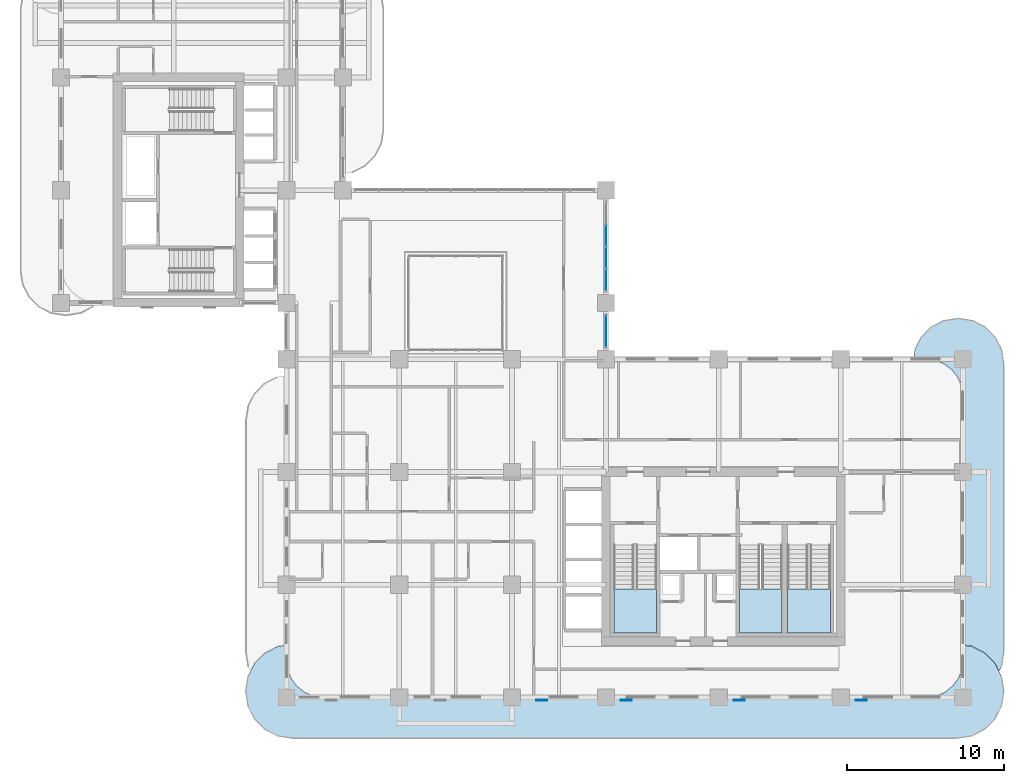
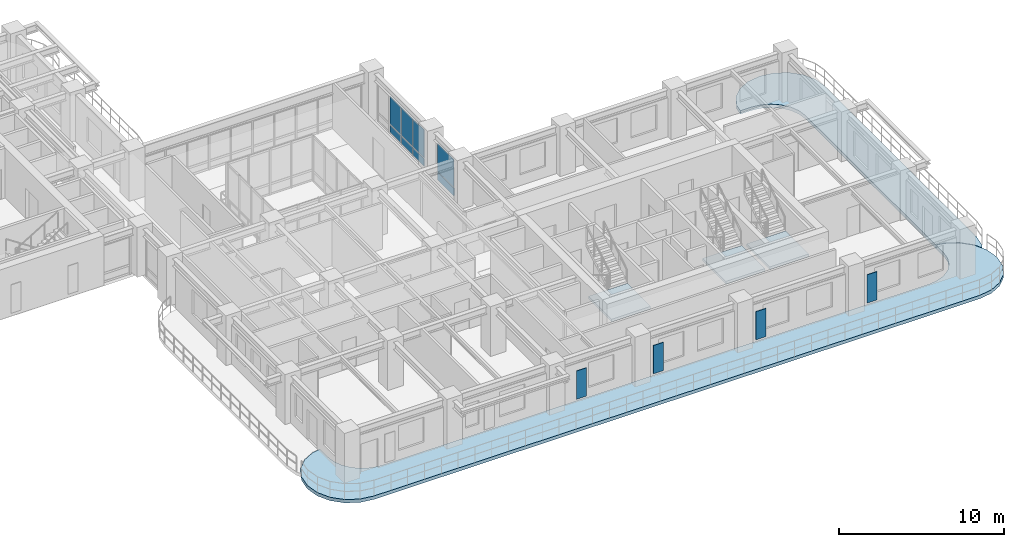
# One storey, part 10 of 22: 12 plates, 5 slabs, 5 elements without a shape of their own.
"""IFC4 building model written with IfcOpenShell, lengths in metres."""

from ifc_helpers import new_model, si_unit, derived_unit, direction, frame, origin, origin_2d, place, context, subcontext, project, spatial, polyline, rectangle, outline, extrude, source, transform, mapped, material, layer, layer_set, type_object, type_shapes, element, aggregate, save


model = new_model("IFC4")

# Units and contexts
model_context = context("Model", 3, precision=1e-05, world=origin(), true_north=direction((0.0, 1.0)))
body_context = subcontext(model_context, "Body", "Model", "MODEL_VIEW")
ifc_project = project(units=[si_unit("LENGTHUNIT", "METRE"), si_unit("AREAUNIT", "SQUARE_METRE"), si_unit("VOLUMEUNIT", "CUBIC_METRE"), si_unit("PLANEANGLEUNIT", "RADIAN"), si_unit("MASSUNIT", "GRAM", prefix="KILO"), si_unit("THERMODYNAMICTEMPERATUREUNIT", "KELVIN"), si_unit("POWERUNIT", "WATT"), derived_unit("THERMALTRANSMITTANCEUNIT", [(si_unit("POWERUNIT", "WATT"), 1), (si_unit("AREAUNIT", "SQUARE_METRE"), -1), (si_unit("THERMODYNAMICTEMPERATUREUNIT", "KELVIN"), -1)])], contexts=[model_context])

# Site, building, storey
site_placement = place(None, origin())
site = spatial("IfcSite", under=ifc_project, at=site_placement, CompositionType="ELEMENT")
building_placement = place(site_placement, origin())
building = spatial("IfcBuilding", under=site, at=building_placement, Name="Zahravan Archway Hotel and Residences", CompositionType="ELEMENT")
storey_placement = place(building_placement, frame((0.0, 0.0, 84.199951171875)))
storey = spatial("IfcBuildingStorey", under=building, at=storey_placement, Name="L20", CompositionType="ELEMENT", Elevation=84.199951171875)

# Slabs
ifc_material_1 = material(Name="Concrete C45/55", Category="concrete")
ifc_layer_1 = layer(ifc_material_1, 0.25, Name="Concrete C45/55", Category="concrete")
ifc_layer_set_1 = layer_set([ifc_layer_1], Name="Concrete C45/55")
slab_type_1 = type_object("IfcSlabType", Name="SLB-BALC-250", PredefinedType="FLOOR", material=ifc_layer_set_1)
slab_1_placement = place(storey_placement, frame((0.0, 0.0, -0.25)))
element("IfcSlab", 1, at=slab_1_placement, inside=storey, type_object=slab_type_1, Name="L20 Wing A South Rounded Balcony Band", PredefinedType="FLOOR", context=body_context, shape_type="SweptSolid", body=[
    extrude(outline(polyline([(58.16162109375, 3.255615234375), (58.98388671875, 2.836669921875), (59.63671875, 2.18408203125), (60.0556640625, 1.361572265625), (60.199951171875, 0.449951171875), (60.199951171875, 0.35009765625), (60.0556640625, -0.5615234375), (59.63671875, -1.384033203125), (58.98388671875, -2.03662109375), (58.16162109375, -2.45556640625), (57.25, -2.60009765625), (14.75, -2.60009765625), (13.83837890625, -2.45556640625), (13.01611328125, -2.03662109375), (12.36328125, -1.384033203125), (11.9443359375, -0.5615234375), (11.800048828125, 0.35009765625), (11.800048828125, 0.449951171875), (11.9443359375, 1.361572265625), (12.36328125, 2.18408203125), (13.01611328125, 2.836669921875), (13.83837890625, 3.255615234375), (14.3798828125, 3.34130859375), (14.3798828125, 2.39990234375), (14.380126953125, 2.3974609375), (14.4619140625, 1.776123046875), (14.46240234375, 1.7744140625), (14.462646484375, 1.772705078125), (14.46337890625, 1.77099609375), (14.702880859375, 1.1923828125), (14.703857421875, 1.19091796875), (14.70458984375, 1.189208984375), (14.70556640625, 1.187744140625), (15.0869140625, 0.690673828125), (15.088134765625, 0.689453125), (15.08935546875, 0.688232421875), (15.0908203125, 0.68701171875), (15.587890625, 0.3056640625), (15.58935546875, 0.3046875), (15.5908203125, 0.3037109375), (15.59228515625, 0.302978515625), (16.171142578125, 0.063232421875), (16.1728515625, 0.062744140625), (16.174560546875, 0.062255859375), (16.17626953125, 0.06201171875), (16.79736328125, -0.019775390625), (16.800048828125, -0.02001953125), (55.199951171875, -0.02001953125), (55.20263671875, -0.019775390625), (55.82373046875, 0.06201171875), (55.825439453125, 0.062255859375), (55.8271484375, 0.062744140625), (55.828857421875, 0.063232421875), (56.40771484375, 0.302978515625), (56.4091796875, 0.3037109375), (56.41064453125, 0.3046875), (56.412109375, 0.3056640625), (56.9091796875, 0.68701171875), (56.91064453125, 0.688232421875), (56.911865234375, 0.689453125), (56.9130859375, 0.690673828125), (57.29443359375, 1.187744140625), (57.29541015625, 1.189208984375), (57.296142578125, 1.19091796875), (57.297119140625, 1.1923828125), (57.53662109375, 1.77099609375), (57.537353515625, 1.772705078125), (57.53759765625, 1.7744140625), (57.5380859375, 1.776123046875), (57.619873046875, 2.3974609375), (57.6201171875, 2.39990234375), (57.6201171875, 3.34130859375), (58.16162109375, 3.255615234375)])), origin(), (0.0, 0.0, 1.0), 0.25),
])
slab_2_placement = place(storey_placement, frame((0.0, 0.0, -0.25)))
element("IfcSlab", 2, at=slab_2_placement, inside=storey, type_object=slab_type_1, Name="L20 Wing A East Rounded Balcony Band", PredefinedType="FLOOR", context=body_context, shape_type="SweptSolid", body=[
    extrude(outline(polyline([(54.53955078125, 22.230712890625), (54.9443359375, 23.025146484375), (55.57470703125, 23.65576171875), (56.369384765625, 24.060546875), (57.25, 24.199951171875), (57.35009765625, 24.199951171875), (58.230712890625, 24.060546875), (59.025146484375, 23.65576171875), (59.65576171875, 23.025146484375), (60.060546875, 22.230712890625), (60.199951171875, 21.35009765625), (60.199951171875, 2.85009765625), (60.060546875, 1.96923828125), (59.91455078125, 1.6826171875), (59.654296875, 2.193115234375), (59.6533203125, 2.19482421875), (59.652099609375, 2.196533203125), (59.650634765625, 2.197998046875), (58.998046875, 2.8505859375), (58.99658203125, 2.85205078125), (58.994873046875, 2.853515625), (58.9931640625, 2.8544921875), (58.170654296875, 3.2734375), (58.168701171875, 3.2744140625), (58.166748046875, 3.27490234375), (58.164794921875, 3.275390625), (57.623046875, 3.361083984375), (57.62109375, 3.361328125), (57.6201171875, 3.361328125), (57.6201171875, 19.199951171875), (57.619873046875, 19.20263671875), (57.5380859375, 19.82373046875), (57.53759765625, 19.825439453125), (57.537353515625, 19.8271484375), (57.53662109375, 19.828857421875), (57.297119140625, 20.40771484375), (57.296142578125, 20.4091796875), (57.29541015625, 20.41064453125), (57.29443359375, 20.412109375), (56.9130859375, 20.9091796875), (56.911865234375, 20.91064453125), (56.91064453125, 20.911865234375), (56.9091796875, 20.9130859375), (56.412109375, 21.29443359375), (56.41064453125, 21.29541015625), (56.4091796875, 21.296142578125), (56.40771484375, 21.297119140625), (55.828857421875, 21.53662109375), (55.8271484375, 21.537353515625), (55.825439453125, 21.53759765625), (55.82373046875, 21.5380859375), (55.20263671875, 21.619873046875), (55.199951171875, 21.6201171875), (54.44287109375, 21.6201171875), (54.53955078125, 22.230712890625)])), origin(), (0.0, 0.0, 1.0), 0.25),
])

# Stair, slab
ifc_material_2 = material(Name="Concrete C50/60", Category="concrete")
stair_type = type_object("IfcStairType", Name="STR-CORE-1300", PredefinedType="HALF_TURN_STAIR", material=ifc_material_2)
stair_1_placement = place(storey_placement, origin())
stair_1 = element("IfcStair", 3, at=stair_1_placement, inside=storey, type_object=stair_type, Name="L20 Core A Exit Stair 1", PredefinedType="HALF_TURN_STAIR")
ifc_layer_2 = layer(ifc_material_2, 0.199951171875, Name="Concrete C50/60", Category="concrete")
ifc_layer_set_2 = layer_set([ifc_layer_2], Name="Concrete C50/60")
slab_type_2 = type_object("IfcSlabType", Name="SLB-LND-200", PredefinedType="LANDING", material=ifc_layer_set_2)
slab_3_placement = place(storey_placement, frame((0.0, 0.0, 1.650146484375)))
slab_3 = element("IfcSlab", 4, at=slab_3_placement, type_object=slab_type_2, Name="ST-A1 landing 1", PredefinedType="LANDING", context=body_context, shape_type="SweptSolid", body=[
    extrude(outline(polyline([(35.300048828125, 6.929931640625), (35.300048828125, 4.10009765625), (38.0400390625, 4.10009765625), (38.0400390625, 6.929931640625), (35.300048828125, 6.929931640625)])), origin(), (0.0, 0.0, 1.0), 0.199951171875),
])
aggregate(stair_1, [slab_3])

stair_2_placement = place(storey_placement, origin())
stair_2 = element("IfcStair", 5, at=stair_2_placement, inside=storey, type_object=stair_type, Name="L20 Core A Exit Stair 2", PredefinedType="HALF_TURN_STAIR")
slab_4_placement = place(storey_placement, frame((0.0, 0.0, 1.650146484375)))
slab_4 = element("IfcSlab", 6, at=slab_4_placement, type_object=slab_type_2, Name="ST-A2 landing 1", PredefinedType="LANDING", context=body_context, shape_type="SweptSolid", body=[
    extrude(outline(polyline([(43.320068359375, 6.929931640625), (43.320068359375, 4.10009765625), (46.06005859375, 4.10009765625), (46.06005859375, 6.929931640625), (43.320068359375, 6.929931640625)])), origin(), (0.0, 0.0, 1.0), 0.199951171875),
])
aggregate(stair_2, [slab_4])

stair_3_placement = place(storey_placement, origin())
stair_3 = element("IfcStair", 7, at=stair_3_placement, inside=storey, type_object=stair_type, Name="L20 Core A Exit Stair 3", PredefinedType="HALF_TURN_STAIR")
slab_5_placement = place(storey_placement, frame((0.0, 0.0, 1.650146484375)))
slab_5 = element("IfcSlab", 8, at=slab_5_placement, type_object=slab_type_2, Name="ST-A3 landing 1", PredefinedType="LANDING", context=body_context, shape_type="SweptSolid", body=[
    extrude(outline(polyline([(46.39990234375, 6.929931640625), (46.39990234375, 4.10009765625), (49.139892578125, 4.10009765625), (49.139892578125, 6.929931640625), (46.39990234375, 6.929931640625)])), origin(), (0.0, 0.0, 1.0), 0.199951171875),
])
aggregate(stair_3, [slab_5])

# Plates
ifc_material_3 = material(Name="Perforated Cast Bronze Jali Lattice")
ifc_layer_3 = layer(ifc_material_3, 0.044921875, Name="Perforated Cast Bronze Jali Lattice")
ifc_layer_set_3 = layer_set([ifc_layer_3], Name="Perforated Cast Bronze Jali Lattice")
plate_type_1 = type_object("IfcPlateType", Name="PLT-JALI-BAY", PredefinedType="USERDEFINED", material=ifc_layer_set_3)
shared_shape_1 = source(origin(), body_context, "Body", "SweptSolid", [
    extrude(rectangle(XDim=0.699951171875, YDim=0.044921875, at=origin_2d()), origin(), (0.0, 0.0, 1.0), 2.10009765625),
])
type_shapes(plate_type_1, [shared_shape_1])
for number, where, z_axis, x_axis, name in (
    (9, (30.7080078125, -0.177978515625, 0.25), (0.0, 0.0, 1.0), (1.0, 0.0, 0.0), "L20 Perforated Bronze Jali Pier Screen 03"),
    (10, (36.10009765625, -0.177978515625, 0.25), (0.0, 0.0, 1.0), (1.0, 0.0, 0.0), "L20 Perforated Bronze Jali Pier Screen 04"),
    (11, (43.300048828125, -0.177978515625, 0.25), (0.0, 0.0, 1.0), (1.0, 0.0, 0.0), "L20 Perforated Bronze Jali Pier Screen 05"),
    (12, (51.10009765625, -0.177978515625, 0.25), (0.0, 0.0, 1.0), (1.0, 0.0, 0.0), "L20 Perforated Bronze Jali Pier Screen 06"),
):
    element("IfcPlate", number, at=place(storey_placement, frame(where, z_axis=z_axis, x_axis=x_axis)), inside=storey, type_object=plate_type_1, Name=name, ObjectType="SCREEN", PredefinedType="USERDEFINED", context=body_context, shape_type="MappedRepresentation", body=[
        mapped(shared_shape_1, transform((0.0, 0.0, 0.0), scale=1.0)),
    ])

# Curtain wall, plates
ifc_material_4 = material(Name="Bronze-Anodized Unitised Aluminium & Low-E Glass", Category="aluminium")
ifc_layer_4 = layer(ifc_material_4, 0.179931640625, Name="Bronze-Anodized Unitised Aluminium & Low-E Glass", Category="aluminium")
ifc_layer_set_4 = layer_set([ifc_layer_4], Name="Bronze-Anodized Unitised Aluminium & Low-E Glass")
curtain_wall_type = type_object("IfcCurtainWallType", Name="CW-TWR-FEAT", PredefinedType="NOTDEFINED", material=ifc_layer_set_4)
curtain_wall_1_placement = place(storey_placement, origin())
curtain_wall_1 = element("IfcCurtainWall", 13, at=curtain_wall_1_placement, inside=storey, type_object=curtain_wall_type, Name="L20 Curtain Wall CW-L20-HNG-E-2", PredefinedType="NOTDEFINED")
ifc_material_5 = material(Name="Insulated Terracotta Spandrel Panel", Category="masonry")
ifc_layer_5 = layer(ifc_material_5, 0.0400390625, Name="Insulated Terracotta Spandrel Panel", Category="masonry")
ifc_layer_set_5 = layer_set([ifc_layer_5], Name="Insulated Terracotta Spandrel Panel")
plate_type_2 = type_object("IfcPlateType", Name="CWP-SPN-40", PredefinedType="SHEET", material=ifc_layer_set_5)
shared_shape_2 = source(origin(), body_context, "Body", "SweptSolid", [
    extrude(rectangle(XDim=1.340087890625, YDim=0.0400390625, at=origin_2d()), origin(), (0.0, 0.0, 1.0), 0.552490234375),
])
plate_1_placement = place(storey_placement, frame((34.800048828125, 26.669921875, 0.10009765625), z_axis=(0.0, 0.0, 1.0), x_axis=(0.0, 1.0, 0.0)))
plate_1 = element("IfcPlate", 14, at=plate_1_placement, type_object=plate_type_2, Name="CW-L20-HNG-E-2 Spandrel Panel 0", PredefinedType="SHEET", context=body_context, shape_type="MappedRepresentation", body=[
    mapped(shared_shape_2, transform((0.0, 0.0, 0.0), scale=1.0)),
])
plate_2_placement = place(storey_placement, frame((34.800048828125, 28.090087890625, 0.10009765625), z_axis=(0.0, 0.0, 1.0), x_axis=(0.0, 1.0, 0.0)))
plate_2 = element("IfcPlate", 15, at=plate_2_placement, type_object=plate_type_2, Name="CW-L20-HNG-E-2 Spandrel Panel 1", PredefinedType="SHEET", context=body_context, shape_type="MappedRepresentation", body=[
    mapped(shared_shape_2, transform((0.0, 0.0, 0.0), scale=1.0)),
])
plate_3_placement = place(storey_placement, frame((34.800048828125, 29.510009765625, 0.10009765625), z_axis=(0.0, 0.0, 1.0), x_axis=(0.0, 1.0, 0.0)))
plate_3 = element("IfcPlate", 16, at=plate_3_placement, type_object=plate_type_2, Name="CW-L20-HNG-E-2 Spandrel Panel 2", PredefinedType="SHEET", context=body_context, shape_type="MappedRepresentation", body=[
    mapped(shared_shape_2, transform((0.0, 0.0, 0.0), scale=1.0)),
])
ifc_material_6 = material(Name="Double-Silver Low-E Insulated Vision Glass", Category="glass")
ifc_layer_6 = layer(ifc_material_6, 0.028076171875, Name="Double-Silver Low-E Insulated Vision Glass", Category="glass")
ifc_layer_set_6 = layer_set([ifc_layer_6], Name="Double-Silver Low-E Insulated Vision Glass")
plate_type_3 = type_object("IfcPlateType", Name="CWP-GLZ-28", PredefinedType="CURTAIN_PANEL", material=ifc_layer_set_6)
shared_shape_3 = source(origin(), body_context, "Body", "SweptSolid", [
    extrude(rectangle(XDim=1.340087890625, YDim=0.028076171875, at=origin_2d()), origin(), (0.0, 0.0, 1.0), 2.052490234375),
])
plate_4_placement = place(storey_placement, frame((34.800048828125, 26.669921875, 0.732421875), z_axis=(0.0, 0.0, 1.0), x_axis=(0.0, 1.0, 0.0)))
plate_4 = element("IfcPlate", 17, at=plate_4_placement, type_object=plate_type_3, Name="CW-L20-HNG-E-2 Low-E Vision Panel 0", PredefinedType="CURTAIN_PANEL", context=body_context, shape_type="MappedRepresentation", body=[
    mapped(shared_shape_3, transform((0.0, 0.0, 0.0), scale=1.0)),
])
plate_5_placement = place(storey_placement, frame((34.800048828125, 28.090087890625, 0.732421875), z_axis=(0.0, 0.0, 1.0), x_axis=(0.0, 1.0, 0.0)))
plate_5 = element("IfcPlate", 18, at=plate_5_placement, type_object=plate_type_3, Name="CW-L20-HNG-E-2 Low-E Vision Panel 1", PredefinedType="CURTAIN_PANEL", context=body_context, shape_type="MappedRepresentation", body=[
    mapped(shared_shape_3, transform((0.0, 0.0, 0.0), scale=1.0)),
])
plate_6_placement = place(storey_placement, frame((34.800048828125, 29.510009765625, 0.732421875), z_axis=(0.0, 0.0, 1.0), x_axis=(0.0, 1.0, 0.0)))
plate_6 = element("IfcPlate", 19, at=plate_6_placement, type_object=plate_type_3, Name="CW-L20-HNG-E-2 Low-E Vision Panel 2", PredefinedType="CURTAIN_PANEL", context=body_context, shape_type="MappedRepresentation", body=[
    mapped(shared_shape_3, transform((0.0, 0.0, 0.0), scale=1.0)),
])
aggregate(curtain_wall_1, [plate_1, plate_4, plate_2, plate_5, plate_3, plate_6])

curtain_wall_2_placement = place(storey_placement, origin())
curtain_wall_2 = element("IfcCurtainWall", 20, at=curtain_wall_2_placement, inside=storey, type_object=curtain_wall_type, Name="L20 Curtain Wall CW-L20-HNG-E-1", PredefinedType="NOTDEFINED")
shared_shape_4 = source(origin(), body_context, "Body", "SweptSolid", [
    extrude(rectangle(XDim=2.0, YDim=0.0400390625, at=origin_2d()), origin(), (0.0, 0.0, 1.0), 0.552490234375),
])
plate_7_placement = place(storey_placement, frame((34.800048828125, 23.39990234375, 0.10009765625), z_axis=(0.0, 0.0, 1.0), x_axis=(0.0, 1.0, 0.0)))
plate_7 = element("IfcPlate", 21, at=plate_7_placement, type_object=plate_type_2, Name="CW-L20-HNG-E-1 Spandrel Panel 0", PredefinedType="SHEET", context=body_context, shape_type="MappedRepresentation", body=[
    mapped(shared_shape_4, transform((0.0, 0.0, 0.0), scale=1.0)),
])
shared_shape_5 = source(origin(), body_context, "Body", "SweptSolid", [
    extrude(rectangle(XDim=2.0, YDim=0.028076171875, at=origin_2d()), origin(), (0.0, 0.0, 1.0), 2.052490234375),
])
plate_8_placement = place(storey_placement, frame((34.800048828125, 23.39990234375, 0.732421875), z_axis=(0.0, 0.0, 1.0), x_axis=(0.0, 1.0, 0.0)))
plate_8 = element("IfcPlate", 22, at=plate_8_placement, type_object=plate_type_3, Name="CW-L20-HNG-E-1 Low-E Vision Panel 0", PredefinedType="CURTAIN_PANEL", context=body_context, shape_type="MappedRepresentation", body=[
    mapped(shared_shape_5, transform((0.0, 0.0, 0.0), scale=1.0)),
])
aggregate(curtain_wall_2, [plate_7, plate_8])

save(model, "model.ifc")
